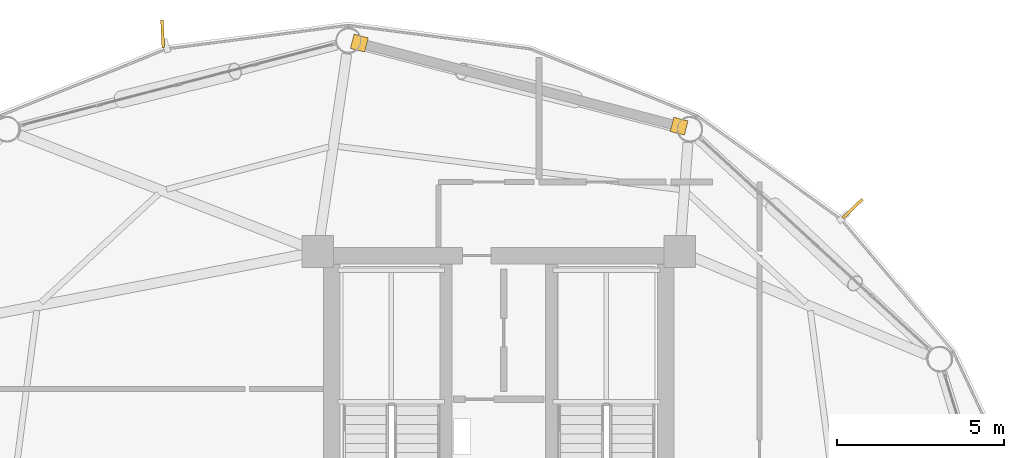
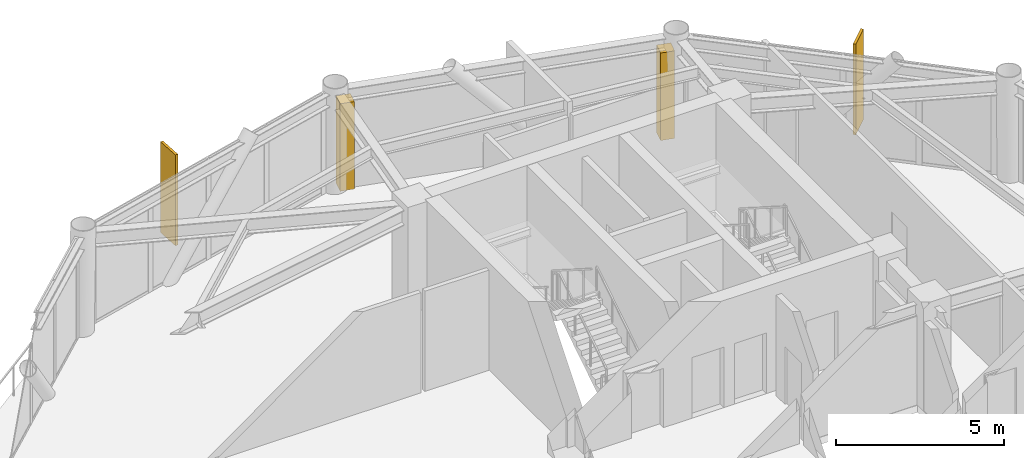
# One storey, part 24 of 24: 2 coverings, 2 shading devices.
"""IFC4 building model written with IfcOpenShell, lengths in metres."""

from ifc_helpers import new_model, si_unit, direction, frame, origin, origin_2d, place, context, subcontext, project, spatial, rectangle, extrude, source, transform, mapped, material, layer, layer_set, type_object, type_shapes, element, save


model = new_model("IFC4")

# Units and contexts
model_context = context("Model", 3, precision=1e-05, world=origin(), true_north=direction((0.0, 1.0)))
body_context = subcontext(model_context, "Body", "Model", "MODEL_VIEW")
ifc_project = project(units=[si_unit("LENGTHUNIT", "METRE"), si_unit("AREAUNIT", "SQUARE_METRE"), si_unit("VOLUMEUNIT", "CUBIC_METRE"), si_unit("PLANEANGLEUNIT", "RADIAN"), si_unit("MASSUNIT", "GRAM", prefix="KILO")], contexts=[model_context])

# Site, building, storey
site_placement = place(None, origin())
site = spatial("IfcSite", under=ifc_project, at=site_placement, CompositionType="ELEMENT")
building_placement = place(site_placement, origin())
building = spatial("IfcBuilding", under=site, at=building_placement, Name="Varnakorn Sky Granary", CompositionType="ELEMENT")
storey_placement = place(building_placement, frame((0.0, 0.0, 161.699951171875)))
storey = spatial("IfcBuildingStorey", under=building, at=storey_placement, Name="L40", CompositionType="ELEMENT", Elevation=161.699951171875)

# Shading devices
ifc_material = material(Name="Anodised Bronze Aluminium Alloy 6063-T6", Category="aluminium")
shading_device_type = type_object("IfcShadingDeviceType", Name="SH-FIN-02", PredefinedType="USERDEFINED", material=ifc_material)
shared_shape_1 = source(origin(), body_context, "Body", "SweptSolid", [
    extrude(rectangle(XDim=0.0849609375, YDim=0.820068359375, at=origin_2d()), origin(), (0.0, 0.0, 1.0), 3.300048828125),
])
type_shapes(shading_device_type, [shared_shape_1])
for number, where, z_axis, x_axis, name in (
    (1, (13.591552734375, 13.90478515625, -0.0400390625), (0.0, 0.0, 1.0), (-0.694205365048, 0.719776987086, 0.0), "Bronze Solar-Tracking Vertical Blade FIN L40-02"),
    (2, (-7.063720703125, 19.141845703125, -0.0400390625), (0.0, 0.0, 1.0), (-0.998890265126, -0.047098176571, 0.0), "Bronze Solar-Tracking Vertical Blade FIN L40-04"),
):
    element("IfcShadingDevice", number, at=place(storey_placement, frame(where, z_axis=z_axis, x_axis=x_axis)), inside=storey, type_object=shading_device_type, Name=name, ObjectType="FIN", PredefinedType="USERDEFINED", context=body_context, shape_type="MappedRepresentation", body=[
        mapped(shared_shape_1, transform((0.0, 0.0, 0.0), x_axis=(1.0, 0.0, 0.0), y_axis=(0.0, 1.0, 0.0), z_axis=(0.0, 0.0, 1.0), scale=1.0)),
    ])

# Coverings
ifc_layer = layer(ifc_material, 0.050048828125, Name="Anodised Bronze Aluminium Alloy 6063-T6")
ifc_layer_set = layer_set([ifc_layer], Name="Anodised Bronze Aluminium Alloy 6063-T6")
covering_type = type_object("IfcCoveringType", Name="CV-CLAD-50", PredefinedType="CLADDING", material=ifc_layer_set)
shared_shape_2 = source(origin(), body_context, "Body", "SweptSolid", [
    extrude(rectangle(XDim=0.43994140625, YDim=0.43994140625, at=origin_2d()), origin(), (0.0, 0.0, 1.0), 3.179931640625),
])
type_shapes(covering_type, [shared_shape_2])
for number, where, z_axis, x_axis, name in (
    (3, (-1.1748046875, 18.860595703125, -0.02001953125), (0.0, 0.0, 1.0), (0.967884912253, -0.251393708421, 0.0), "Bronze Corner Pilaster Closure L40-P03-A"),
    (4, (8.398681640625, 16.37451171875, -0.02001953125), (0.0, 0.0, 1.0), (0.967884912253, -0.251393708421, 0.0), "Bronze Corner Pilaster Closure L40-P03-B"),
):
    element("IfcCovering", number, at=place(storey_placement, frame(where, z_axis=z_axis, x_axis=x_axis)), inside=storey, type_object=covering_type, Name=name, PredefinedType="CLADDING", context=body_context, shape_type="MappedRepresentation", body=[
        mapped(shared_shape_2, transform((0.0, 0.0, 0.0), x_axis=(1.0, 0.0, 0.0), y_axis=(0.0, 1.0, 0.0), z_axis=(0.0, 0.0, 1.0), scale=1.0)),
    ])

save(model, "model.ifc")
